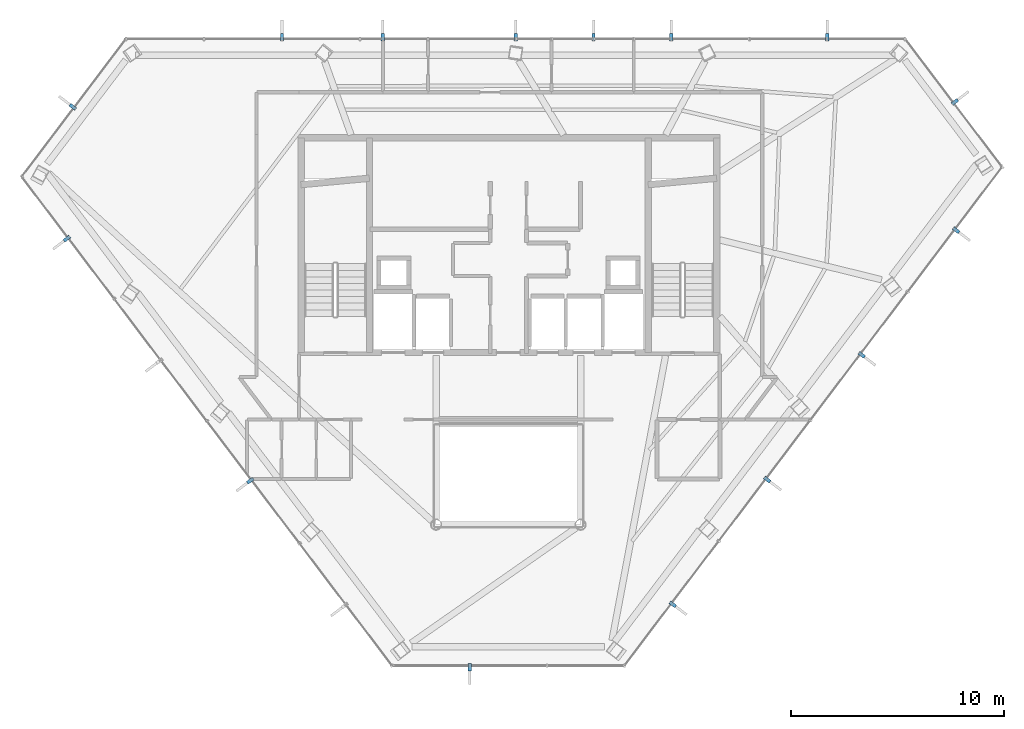
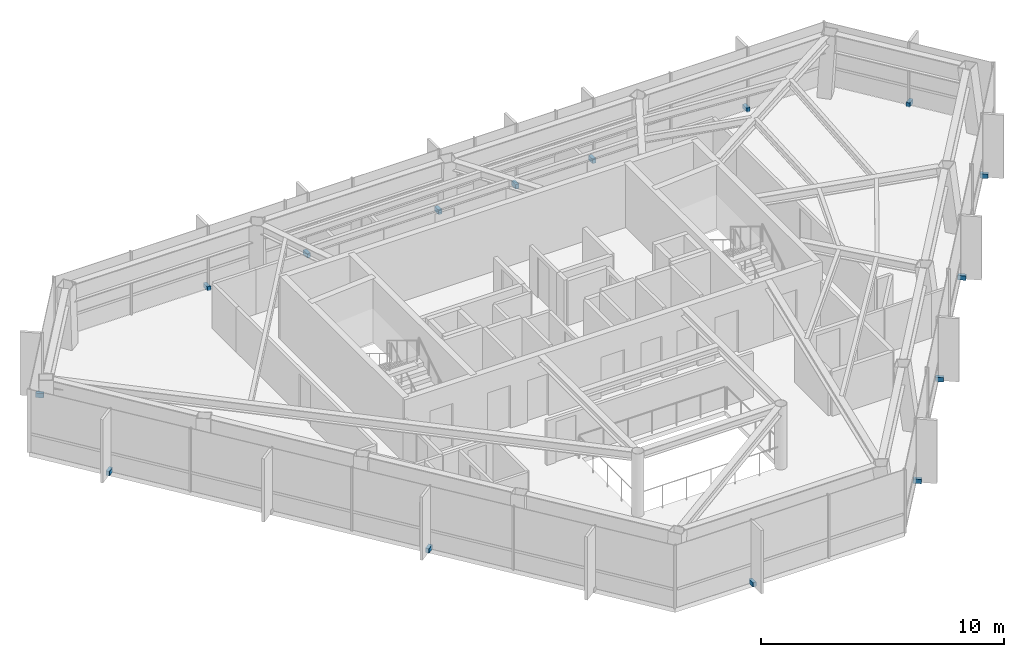
# One storey, part 24 of 25: 15 discrete accessories.
"""IFC4 building model written with IfcOpenShell, lengths in metres."""

from ifc_helpers import new_model, si_unit, direction, frame, origin, origin_2d, place, context, subcontext, project, spatial, rectangle, extrude, material, type_object, element, save


model = new_model("IFC4")

# Units and contexts
model_context = context("Model", 3, precision=1e-05, world=origin(), true_north=direction((0.0, 1.0)))
body_context = subcontext(model_context, "Body", "Model", "MODEL_VIEW")
ifc_project = project(units=[si_unit("LENGTHUNIT", "METRE"), si_unit("AREAUNIT", "SQUARE_METRE"), si_unit("VOLUMEUNIT", "CUBIC_METRE"), si_unit("PLANEANGLEUNIT", "RADIAN"), si_unit("MASSUNIT", "GRAM", prefix="KILO")], contexts=[model_context])

# Site, building, storey
site_placement = place(None, origin())
site = spatial("IfcSite", under=ifc_project, at=site_placement, CompositionType="ELEMENT")
building_placement = place(site_placement, origin())
building = spatial("IfcBuilding", under=site, at=building_placement, Name="Zarrinselat Tower", CompositionType="ELEMENT")
storey_placement = place(building_placement, frame((0.0, 0.0, 246.159912109375)))
storey = spatial("IfcBuildingStorey", under=building, at=storey_placement, Name="L62", CompositionType="ELEMENT", Elevation=246.159912109375)

# Discrete accessories
ifc_material = material(Name="Steel S355J2", Category="steel")
discrete_accessory_type = type_object("IfcDiscreteAccessoryType", Name="ACC-FIN-BRACKET", PredefinedType="BRACKET", material=ifc_material)
for number, where, z_axis, x_axis, name in (
    (1, (53.40380859375, 48.131103515625, -0.0498046875), (0.0, 0.0, 1.0), (0.0, 1.0, 0.0), "L62 Fin Fixing Bracket CW-L62-E01-01"),
    (2, (46.07421875, 48.131103515625, -0.0498046875), (0.0, 0.0, 1.0), (0.0, 1.0, 0.0), "L62 Fin Fixing Bracket CW-L62-E01-03"),
    (3, (42.409423828125, 48.131103515625, -0.0498046875), (0.0, 0.0, 1.0), (0.0, 1.0, 0.0), "L62 Fin Fixing Bracket CW-L62-E01-05"),
    (4, (38.744873046875, 48.131103515625, -0.0498046875), (0.0, 0.0, 1.0), (0.0, 1.0, 0.0), "L62 Fin Fixing Bracket CW-L62-E01-07"),
    (5, (32.5, 48.131103515625, -0.0498046875), (0.0, 0.0, 1.0), (0.0, 1.0, 0.0), "L62 Fin Fixing Bracket CW-L62-E01-09"),
    (6, (27.75048828125, 48.131103515625, -0.0498046875), (0.0, 0.0, 1.0), (0.0, 1.0, 0.0), "L62 Fin Fixing Bracket CW-L62-E01-11"),
    (7, (17.908447265625, 44.860595703125, -0.0498046875), (0.0, 0.0, 1.0), (-0.797091072554, 0.603859107785, 0.0), "L62 Fin Fixing Bracket CW-L62-E02-01"),
    (8, (17.631103515625, 38.65673828125, -0.0498046875), (0.0, 0.0, 1.0), (-0.797091996588, -0.603857888062, 0.0), "L62 Fin Fixing Bracket CW-L62-E03-01"),
    (9, (26.25634765625, 27.271484375, -0.0498046875), (0.0, 0.0, 1.0), (-0.797091996588, -0.603857888062, 0.0), "L62 Fin Fixing Bracket CW-L62-E03-05"),
    (10, (36.58056640625, 18.49267578125, -0.0498046875), (0.0, 0.0, 1.0), (0.0, -1.0, 0.0), "L62 Fin Fixing Bracket CW-L62-E04-01"),
    (11, (46.136474609375, 21.453857421875, -0.0498046875), (0.0, 0.0, 1.0), (0.797091553674, -0.603858472709, 0.0), "L62 Fin Fixing Bracket CW-L62-E05-01"),
    (12, (50.5810546875, 27.32080078125, -0.0498046875), (0.0, 0.0, 1.0), (0.797091553674, -0.603858472709, 0.0), "L62 Fin Fixing Bracket CW-L62-E05-03"),
    (13, (55.02587890625, 33.18798828125, -0.0498046875), (0.0, 0.0, 1.0), (0.797091553674, -0.603858472709, 0.0), "L62 Fin Fixing Bracket CW-L62-E05-05"),
    (14, (59.470458984375, 39.054931640625, -0.0498046875), (0.0, 0.0, 1.0), (0.797091553674, -0.603858472709, 0.0), "L62 Fin Fixing Bracket CW-L62-E05-07"),
    (15, (59.40869140625, 45.08837890625, -0.0498046875), (0.0, 0.0, 1.0), (0.797086364274, 0.603865322642, 0.0), "L62 Fin Fixing Bracket CW-L62-E06-01"),
):
    element("IfcDiscreteAccessory", number, at=place(storey_placement, frame(where, z_axis=z_axis, x_axis=x_axis)), inside=storey, type_object=discrete_accessory_type, Name=name, PredefinedType="BRACKET", context=body_context, shape_type="SweptSolid", body=[
        extrude(rectangle(XDim=0.340087890625, YDim=0.159912109375, at=origin_2d()), origin(), (0.0, 0.0, 1.0), 0.219970703125),
    ])

save(model, "model.ifc")
